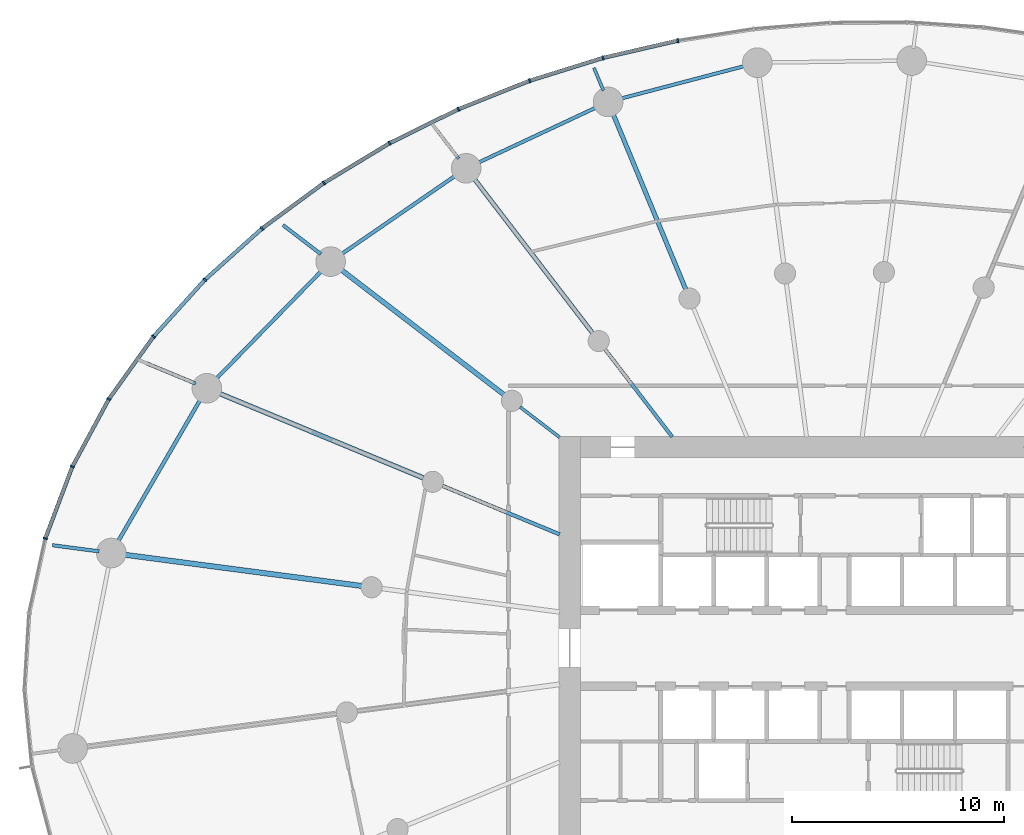
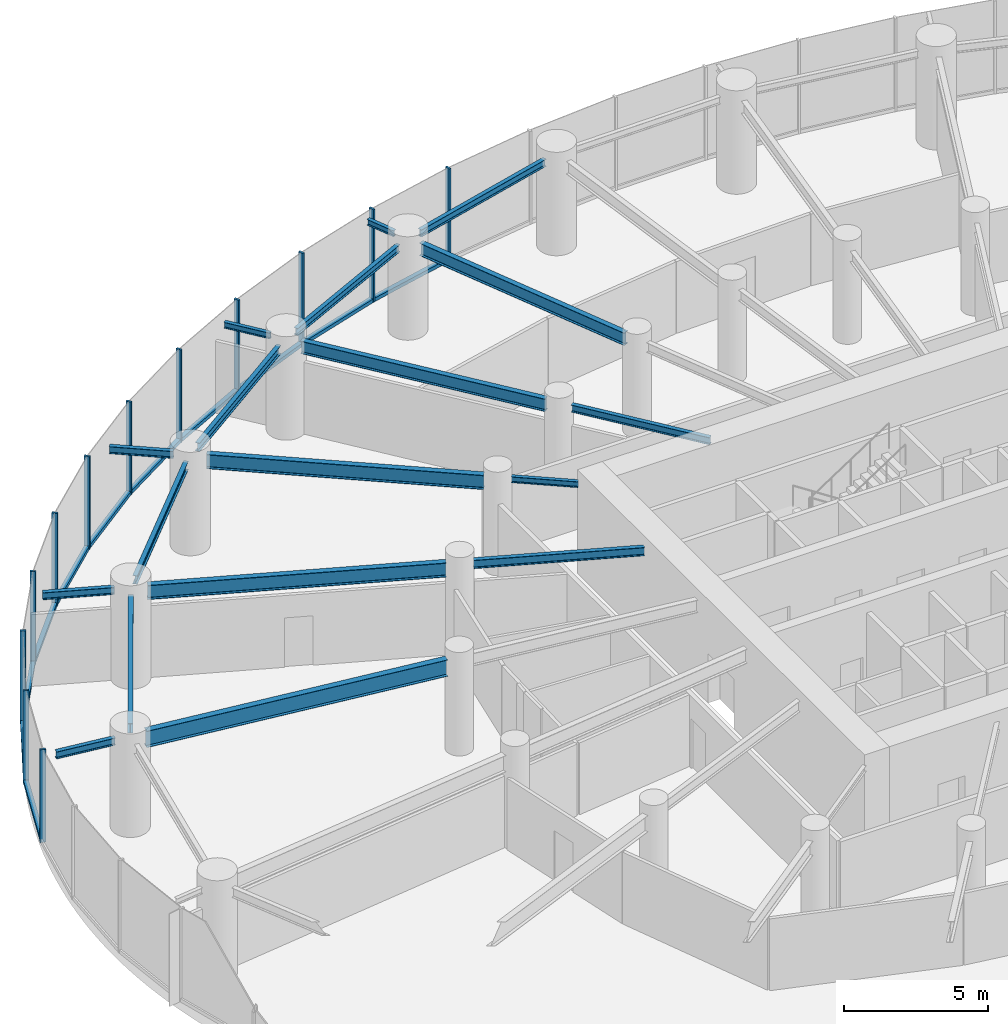
# One storey, part 6 of 17: 23 members, 18 beams, 3 elements without a shape of their own.
"""IFC4 building model written with IfcOpenShell, lengths in metres."""

from ifc_helpers import new_model, si_unit, direction, frame, origin, origin_2d, place, context, subcontext, project, spatial, rectangle, i_section, extrude, source, transform, mapped, material, layer, layer_set, material_profile, profile_set, type_object, element, aggregate, save


model = new_model("IFC4")

# Units and contexts
model_context = context("Model", 3, precision=1e-05, world=origin(), true_north=direction((0.0, 1.0)))
body_context = subcontext(model_context, "Body", "Model", "MODEL_VIEW")
ifc_project = project(units=[si_unit("LENGTHUNIT", "METRE"), si_unit("AREAUNIT", "SQUARE_METRE"), si_unit("VOLUMEUNIT", "CUBIC_METRE"), si_unit("PLANEANGLEUNIT", "RADIAN"), si_unit("MASSUNIT", "GRAM", prefix="KILO")], contexts=[model_context])

# Site, building, storey
site_placement = place(None, origin())
site = spatial("IfcSite", under=ifc_project, at=site_placement, CompositionType="ELEMENT")
building_placement = place(site_placement, origin())
building = spatial("IfcBuilding", under=site, at=building_placement, Name="Spindrift Exchange Tower", CompositionType="ELEMENT")
storey_placement = place(building_placement, frame((0.0, 0.0, 35.800048828125)))
storey = spatial("IfcBuildingStorey", under=building, at=storey_placement, Name="L08", CompositionType="ELEMENT", Elevation=35.800048828125)

# Beams
ifc_material_1 = material(Name="Steel Grade 300", Category="steel")
ifc_material_profile_1 = material_profile(ifc_material_1, i_section(OverallWidth=0.208984375, OverallDepth=0.532958984375, WebThickness=0.01025390625, FlangeThickness=0.015625, FilletRadius=0.013916015625, at=origin_2d()), Name="530UB92.4")
ifc_profile_set_1 = profile_set([ifc_material_profile_1], Name="Steel Grade 300")
beam_type_1 = type_object("IfcBeamType", Name="Floor Beam 530UB92.4 Steel Grade 300", PredefinedType="BEAM", material=ifc_profile_set_1)
shared_shape_1 = source(origin(), body_context, "Body", "SweptSolid", [
    extrude(i_section(OverallWidth=0.208984375, OverallDepth=0.532958984375, WebThickness=0.01025390625, FlangeThickness=0.015625, FilletRadius=0.013916015625, at=origin_2d()), origin(), (0.0, 0.0, 1.0), 8.99658203125),
])
beam_1_placement = place(storey_placement, frame((44.974609375, 64.9609375, 3.683349609375), z_axis=(-0.382685731718, 0.923878580085, 0.0), x_axis=(-0.923878580085, -0.382685731718, 0.0)))
element("IfcBeam", 1, at=beam_1_placement, inside=storey, type_object=beam_type_1, Name="L08 radial beam R08B", PredefinedType="BEAM", context=body_context, shape_type="MappedRepresentation", body=[
    mapped(shared_shape_1, transform((0.0, 0.0, 0.0), scale=1.0)),
])
ifc_material_profile_2 = material_profile(ifc_material_1, i_section(OverallWidth=0.1650390625, OverallDepth=0.303955078125, WebThickness=0.006103515625, FlangeThickness=0.01025390625, FilletRadius=0.011474609375, at=origin_2d()), Name="310UB40.4")
ifc_profile_set_2 = profile_set([ifc_material_profile_2], Name="Steel Grade 300")
beam_type_2 = type_object("IfcBeamType", Name="Floor Beam 310UB40.4 Steel Grade 300", PredefinedType="BEAM", material=ifc_profile_set_2)
shared_shape_2 = source(origin(), body_context, "Body", "SweptSolid", [
    extrude(i_section(OverallWidth=0.1650390625, OverallDepth=0.303955078125, WebThickness=0.006103515625, FlangeThickness=0.01025390625, FilletRadius=0.011474609375, at=origin_2d()), origin(), (0.0, 0.0, 1.0), 5.224609375),
])
beam_2_placement = place(storey_placement, frame((44.3388671875, 57.984130859375, 3.7978515625), z_axis=(-0.608741499316, 0.793368632485, 0.0), x_axis=(-0.793368632485, -0.608741499316, 0.0)))
element("IfcBeam", 2, at=beam_2_placement, inside=storey, type_object=beam_type_2, Name="L08 radial beam R09A", PredefinedType="BEAM", context=body_context, shape_type="MappedRepresentation", body=[
    mapped(shared_shape_2, transform((0.0, 0.0, 0.0), scale=1.0)),
])
shared_shape_3 = source(origin(), body_context, "Body", "SweptSolid", [
    extrude(i_section(OverallWidth=0.208984375, OverallDepth=0.532958984375, WebThickness=0.01025390625, FlangeThickness=0.015625, FilletRadius=0.013916015625, at=origin_2d()), origin(), (0.0, 0.0, 1.0), 9.227783203125),
])
beam_3_placement = place(storey_placement, frame((40.573974609375, 62.890625, 3.683349609375), z_axis=(-0.608747534474, 0.79336400175, 0.0), x_axis=(-0.79336400175, -0.608747534474, 0.0)))
element("IfcBeam", 3, at=beam_3_placement, inside=storey, type_object=beam_type_1, Name="L08 radial beam R09B", PredefinedType="BEAM", context=body_context, shape_type="MappedRepresentation", body=[
    mapped(shared_shape_3, transform((0.0, 0.0, 0.0), scale=1.0)),
])
ifc_material_profile_3 = material_profile(ifc_material_1, i_section(OverallWidth=0.14599609375, OverallDepth=0.251953125, WebThickness=0.006103515625, FlangeThickness=0.008544921875, FilletRadius=0.011962890625, at=origin_2d()), Name="250UB31.4")
ifc_profile_set_3 = profile_set([ifc_material_profile_3], Name="Steel Grade 300")
beam_type_3 = type_object("IfcBeamType", Name="Floor Beam 250UB31.4 Steel Grade 300", PredefinedType="BEAM", material=ifc_profile_set_3)
shared_shape_4 = source(origin(), body_context, "Body", "SweptSolid", [
    extrude(i_section(OverallWidth=0.14599609375, OverallDepth=0.251953125, WebThickness=0.006103515625, FlangeThickness=0.008544921875, FilletRadius=0.011962890625, at=origin_2d()), origin(), (0.0, 0.0, 1.0), 2.353759765625),
])
beam_4_placement = place(storey_placement, frame((39.015869140625, 57.963134765625, 3.823974609375), z_axis=(-0.793367573265, 0.608742879787, 0.0), x_axis=(-0.608742879787, -0.793367573265, 0.0)))
element("IfcBeam", 4, at=beam_4_placement, inside=storey, type_object=beam_type_3, Name="L08 radial beam R10A", PredefinedType="BEAM", context=body_context, shape_type="MappedRepresentation", body=[
    mapped(shared_shape_4, transform((0.0, 0.0, 0.0), scale=1.0)),
])
ifc_material_profile_4 = material_profile(ifc_material_1, i_section(OverallWidth=0.22802734375, OverallDepth=0.60693359375, WebThickness=0.01123046875, FlangeThickness=0.017333984375, FilletRadius=0.013916015625, at=origin_2d()), Name="610UB113")
ifc_profile_set_4 = profile_set([ifc_material_profile_4], Name="Steel Grade 300")
beam_type_4 = type_object("IfcBeamType", Name="Floor Beam 610UB113 Steel Grade 300", PredefinedType="BEAM", material=ifc_profile_set_4)
shared_shape_5 = source(origin(), body_context, "Body", "SweptSolid", [
    extrude(i_section(OverallWidth=0.22802734375, OverallDepth=0.60693359375, WebThickness=0.01123046875, FlangeThickness=0.017333984375, FilletRadius=0.013916015625, at=origin_2d()), origin(), (0.0, 0.0, 1.0), 9.73974609375),
])
beam_5_placement = place(storey_placement, frame((36.38671875, 59.98046875, 3.646484375), z_axis=(-0.793352119621, 0.608763019814, 0.0), x_axis=(-0.608763019814, -0.793352119621, 0.0)))
element("IfcBeam", 5, at=beam_5_placement, inside=storey, type_object=beam_type_4, Name="L08 radial beam R10B", PredefinedType="BEAM", context=body_context, shape_type="MappedRepresentation", body=[
    mapped(shared_shape_5, transform((0.0, 0.0, 0.0), scale=1.0)),
])
ifc_material_profile_5 = material_profile(ifc_material_1, i_section(OverallWidth=0.172119140625, OverallDepth=0.35888671875, WebThickness=0.008056640625, FlangeThickness=0.012939453125, FilletRadius=0.013916015625, at=origin_2d()), Name="360UB56.7")
ifc_profile_set_5 = profile_set([ifc_material_profile_5], Name="Steel Grade 300")
beam_type_5 = type_object("IfcBeamType", Name="Floor Beam 360UB56.7 Steel Grade 300", PredefinedType="BEAM", material=ifc_profile_set_5)
shared_shape_6 = source(origin(), body_context, "Body", "SweptSolid", [
    extrude(i_section(OverallWidth=0.172119140625, OverallDepth=0.35888671875, WebThickness=0.008056640625, FlangeThickness=0.012939453125, FilletRadius=0.013916015625, at=origin_2d()), origin(), (0.0, 0.0, 1.0), 6.004638671875),
])
beam_6_placement = place(storey_placement, frame((39.0185546875, 53.377197265625, 3.7705078125), z_axis=(-0.923882044911, 0.38267736684, 0.0), x_axis=(-0.38267736684, -0.923882044911, 0.0)))
element("IfcBeam", 6, at=beam_6_placement, inside=storey, type_object=beam_type_5, Name="L08 radial beam R11A", PredefinedType="BEAM", context=body_context, shape_type="MappedRepresentation", body=[
    mapped(shared_shape_6, transform((0.0, 0.0, 0.0), scale=1.0)),
])
shared_shape_7 = source(origin(), body_context, "Body", "SweptSolid", [
    extrude(i_section(OverallWidth=0.22802734375, OverallDepth=0.60693359375, WebThickness=0.01123046875, FlangeThickness=0.017333984375, FilletRadius=0.013916015625, at=origin_2d()), origin(), (0.0, 0.0, 1.0), 10.4912109375),
])
beam_7_placement = place(storey_placement, frame((32.583984375, 56.04248046875, 3.646484375), z_axis=(-0.923885231151, 0.382669674342, 0.0), x_axis=(-0.382669674342, -0.923885231151, 0.0)))
element("IfcBeam", 7, at=beam_7_placement, inside=storey, type_object=beam_type_4, Name="L08 radial beam R11B", PredefinedType="BEAM", context=body_context, shape_type="MappedRepresentation", body=[
    mapped(shared_shape_7, transform((0.0, 0.0, 0.0), scale=1.0)),
])
ifc_material_profile_6 = material_profile(ifc_material_1, i_section(OverallWidth=0.25, OverallDepth=0.699951171875, WebThickness=0.008056640625, FlangeThickness=0.011962890625, at=origin_2d()), Name="700WB115")
ifc_profile_set_6 = profile_set([ifc_material_profile_6], Name="Steel Grade 300")
beam_type_6 = type_object("IfcBeamType", Name="Floor Beam 700WB115 Steel Grade 300", PredefinedType="BEAM", material=ifc_profile_set_6)
shared_shape_8 = source(origin(), body_context, "Body", "SweptSolid", [
    extrude(i_section(OverallWidth=0.25, OverallDepth=0.699951171875, WebThickness=0.008056640625, FlangeThickness=0.011962890625, at=origin_2d()), origin(), (0.0, 0.0, 1.0), 11.34423828125),
])
beam_8_placement = place(storey_placement, frame((29.660888671875, 50.94091796875, 3.599853515625), z_axis=(-0.991444770187, 0.130526884848, 0.0), x_axis=(-0.130526884848, -0.991444770187, 0.0)))
element("IfcBeam", 8, at=beam_8_placement, inside=storey, type_object=beam_type_6, Name="L08 radial beam R12B", PredefinedType="BEAM", context=body_context, shape_type="MappedRepresentation", body=[
    mapped(shared_shape_8, transform((0.0, 0.0, 0.0), scale=1.0)),
])
ifc_material_profile_7 = material_profile(ifc_material_1, i_section(OverallWidth=0.1650390625, OverallDepth=0.303955078125, WebThickness=0.006103515625, FlangeThickness=0.01025390625, FilletRadius=0.011474609375, at=origin_2d()), Name="310UB40.4")
ifc_profile_set_7 = profile_set([ifc_material_profile_7], Name="Steel Grade 300")
beam_type_7 = type_object("IfcBeamType", Name="Edge Beam 310UB40.4 Steel Grade 300", PredefinedType="SPANDREL", material=ifc_profile_set_7)
shared_shape_9 = source(origin(), body_context, "Body", "SweptSolid", [
    extrude(i_section(OverallWidth=0.1650390625, OverallDepth=0.303955078125, WebThickness=0.006103515625, FlangeThickness=0.01025390625, FilletRadius=0.011474609375, at=origin_2d()), origin(), (0.0, 0.0, 1.0), 6.128173828125),
])
beam_9_placement = place(storey_placement, frame((47.79736328125, 75.513916015625, 3.7978515625), z_axis=(-0.967147261855, -0.254216785216, 0.0), x_axis=(0.254216785216, -0.967147261855, 0.0)))
element("IfcBeam", 9, at=beam_9_placement, inside=storey, type_object=beam_type_7, Name="L08 edge beam E07", PredefinedType="SPANDREL", context=body_context, shape_type="MappedRepresentation", body=[
    mapped(shared_shape_9, transform((0.0, 0.0, 0.0), scale=1.0)),
])
shared_shape_10 = source(origin(), body_context, "Body", "SweptSolid", [
    extrude(i_section(OverallWidth=0.1650390625, OverallDepth=0.303955078125, WebThickness=0.006103515625, FlangeThickness=0.01025390625, FilletRadius=0.011474609375, at=origin_2d()), origin(), (0.0, 0.0, 1.0), 6.243408203125),
])
beam_10_placement = place(storey_placement, frame((40.7841796875, 73.56298828125, 3.7978515625), z_axis=(-0.905791146607, -0.423724437257, 0.0), x_axis=(0.423724437257, -0.905791146607, 0.0)))
element("IfcBeam", 10, at=beam_10_placement, inside=storey, type_object=beam_type_7, Name="L08 edge beam E08", PredefinedType="SPANDREL", context=body_context, shape_type="MappedRepresentation", body=[
    mapped(shared_shape_10, transform((0.0, 0.0, 0.0), scale=1.0)),
])
ifc_material_profile_8 = material_profile(ifc_material_1, i_section(OverallWidth=0.172119140625, OverallDepth=0.35888671875, WebThickness=0.008056640625, FlangeThickness=0.012939453125, FilletRadius=0.013916015625, at=origin_2d()), Name="360UB56.7")
ifc_profile_set_8 = profile_set([ifc_material_profile_8], Name="Steel Grade 300")
beam_type_8 = type_object("IfcBeamType", Name="Edge Beam 360UB56.7 Steel Grade 300", PredefinedType="SPANDREL", material=ifc_profile_set_8)
shared_shape_11 = source(origin(), body_context, "Body", "SweptSolid", [
    extrude(i_section(OverallWidth=0.172119140625, OverallDepth=0.35888671875, WebThickness=0.008056640625, FlangeThickness=0.012939453125, FilletRadius=0.013916015625, at=origin_2d()), origin(), (0.0, 0.0, 1.0), 6.614990234375),
])
beam_11_placement = place(storey_placement, frame((34.125732421875, 70.3427734375, 3.7705078125), z_axis=(-0.823690708835, -0.567039342708, 0.0), x_axis=(0.567039342708, -0.823690708835, 0.0)))
element("IfcBeam", 11, at=beam_11_placement, inside=storey, type_object=beam_type_8, Name="L08 edge beam E09", PredefinedType="SPANDREL", context=body_context, shape_type="MappedRepresentation", body=[
    mapped(shared_shape_11, transform((0.0, 0.0, 0.0), scale=1.0)),
])
shared_shape_12 = source(origin(), body_context, "Body", "SweptSolid", [
    extrude(i_section(OverallWidth=0.172119140625, OverallDepth=0.35888671875, WebThickness=0.008056640625, FlangeThickness=0.012939453125, FilletRadius=0.013916015625, at=origin_2d()), origin(), (0.0, 0.0, 1.0), 7.2041015625),
])
beam_12_placement = place(storey_placement, frame((27.794189453125, 65.847900390625, 3.7705078125), z_axis=(-0.698703626006, -0.715411240481, 0.0), x_axis=(0.715411240481, -0.698703626006, 0.0)))
element("IfcBeam", 12, at=beam_12_placement, inside=storey, type_object=beam_type_8, Name="L08 edge beam E10", PredefinedType="SPANDREL", context=body_context, shape_type="MappedRepresentation", body=[
    mapped(shared_shape_12, transform((0.0, 0.0, 0.0), scale=1.0)),
])
ifc_material_profile_9 = material_profile(ifc_material_1, i_section(OverallWidth=0.177978515625, OverallDepth=0.406005859375, WebThickness=0.0078125, FlangeThickness=0.0126953125, FilletRadius=0.013916015625, at=origin_2d()), Name="410UB59.7")
ifc_profile_set_9 = profile_set([ifc_material_profile_9], Name="Steel Grade 300")
beam_type_9 = type_object("IfcBeamType", Name="Edge Beam 410UB59.7 Steel Grade 300", PredefinedType="SPANDREL", material=ifc_profile_set_9)
shared_shape_13 = source(origin(), body_context, "Body", "SweptSolid", [
    extrude(i_section(OverallWidth=0.177978515625, OverallDepth=0.406005859375, WebThickness=0.0078125, FlangeThickness=0.0126953125, FilletRadius=0.013916015625, at=origin_2d()), origin(), (0.0, 0.0, 1.0), 7.837646484375),
])
beam_13_placement = place(storey_placement, frame((22.064208984375, 59.777587890625, 3.7470703125), z_axis=(-0.50198145655, -0.864878382942, 0.0), x_axis=(0.864878382942, -0.50198145655, 0.0)))
element("IfcBeam", 13, at=beam_13_placement, inside=storey, type_object=beam_type_9, Name="L08 edge beam E11", PredefinedType="SPANDREL", context=body_context, shape_type="MappedRepresentation", body=[
    mapped(shared_shape_13, transform((0.0, 0.0, 0.0), scale=1.0)),
])
ifc_material_profile_10 = material_profile(ifc_material_1, i_section(OverallWidth=0.14599609375, OverallDepth=0.251953125, WebThickness=0.006103515625, FlangeThickness=0.008544921875, FilletRadius=0.011962890625, at=origin_2d()), Name="250UB31.4")
ifc_profile_set_10 = profile_set([ifc_material_profile_10], Name="Steel Grade 300")
beam_type_10 = type_object("IfcBeamType", Name="Cantilever Beam 250UB31.4 Steel Grade 300", PredefinedType="BEAM", material=ifc_profile_set_10)
shared_shape_14 = source(origin(), body_context, "Body", "SweptSolid", [
    extrude(i_section(OverallWidth=0.14599609375, OverallDepth=0.251953125, WebThickness=0.006103515625, FlangeThickness=0.008544921875, FilletRadius=0.011962890625, at=origin_2d()), origin(), (0.0, 0.0, 1.0), 1.165283203125),
])
beam_14_placement = place(storey_placement, frame((41.087890625, 74.344482421875, 3.823974609375), z_axis=(-0.38274032778, 0.923855963606, 0.0), x_axis=(-0.923855963606, -0.38274032778, 0.0)))
element("IfcBeam", 14, at=beam_14_placement, inside=storey, type_object=beam_type_10, Name="L08 cantilever beam R08T", PredefinedType="BEAM", context=body_context, shape_type="MappedRepresentation", body=[
    mapped(shared_shape_14, transform((0.0, 0.0, 0.0), scale=1.0)),
])
shared_shape_15 = source(origin(), body_context, "Body", "SweptSolid", [
    extrude(i_section(OverallWidth=0.14599609375, OverallDepth=0.251953125, WebThickness=0.006103515625, FlangeThickness=0.008544921875, FilletRadius=0.011962890625, at=origin_2d()), origin(), (0.0, 0.0, 1.0), 1.741455078125),
])
beam_15_placement = place(storey_placement, frame((34.250244140625, 71.1318359375, 3.823974609375), z_axis=(-0.608734654071, 0.793373884705, 0.0), x_axis=(-0.793373884705, -0.608734654071, 0.0)))
element("IfcBeam", 15, at=beam_15_placement, inside=storey, type_object=beam_type_10, Name="L08 cantilever beam R09T", PredefinedType="BEAM", context=body_context, shape_type="MappedRepresentation", body=[
    mapped(shared_shape_15, transform((0.0, 0.0, 0.0), scale=1.0)),
])
ifc_material_profile_11 = material_profile(ifc_material_1, i_section(OverallWidth=0.1650390625, OverallDepth=0.303955078125, WebThickness=0.006103515625, FlangeThickness=0.01025390625, FilletRadius=0.011474609375, at=origin_2d()), Name="310UB40.4")
ifc_profile_set_11 = profile_set([ifc_material_profile_11], Name="Steel Grade 300")
beam_type_11 = type_object("IfcBeamType", Name="Cantilever Beam 310UB40.4 Steel Grade 300", PredefinedType="BEAM", material=ifc_profile_set_11)
shared_shape_16 = source(origin(), body_context, "Body", "SweptSolid", [
    extrude(i_section(OverallWidth=0.1650390625, OverallDepth=0.303955078125, WebThickness=0.006103515625, FlangeThickness=0.01025390625, FilletRadius=0.011474609375, at=origin_2d()), origin(), (0.0, 0.0, 1.0), 2.25439453125),
])
beam_16_placement = place(storey_placement, frame((27.7392578125, 66.615966796875, 3.7978515625), z_axis=(-0.793376222993, 0.608731606531, 0.0), x_axis=(-0.608731606531, -0.793376222993, 0.0)))
element("IfcBeam", 16, at=beam_16_placement, inside=storey, type_object=beam_type_11, Name="L08 cantilever beam R10T", PredefinedType="BEAM", context=body_context, shape_type="MappedRepresentation", body=[
    mapped(shared_shape_16, transform((0.0, 0.0, 0.0), scale=1.0)),
])
shared_shape_17 = source(origin(), body_context, "Body", "SweptSolid", [
    extrude(i_section(OverallWidth=0.1650390625, OverallDepth=0.303955078125, WebThickness=0.006103515625, FlangeThickness=0.01025390625, FilletRadius=0.011474609375, at=origin_2d()), origin(), (0.0, 0.0, 1.0), 2.515380859375),
])
beam_17_placement = place(storey_placement, frame((21.819580078125, 60.501220703125, 3.7978515625), z_axis=(-0.923910375948, 0.382608961234, 0.0), x_axis=(-0.382608961234, -0.923910375948, 0.0)))
element("IfcBeam", 17, at=beam_17_placement, inside=storey, type_object=beam_type_11, Name="L08 cantilever beam R11T", PredefinedType="BEAM", context=body_context, shape_type="MappedRepresentation", body=[
    mapped(shared_shape_17, transform((0.0, 0.0, 0.0), scale=1.0)),
])
shared_shape_18 = source(origin(), body_context, "Body", "SweptSolid", [
    extrude(i_section(OverallWidth=0.1650390625, OverallDepth=0.303955078125, WebThickness=0.006103515625, FlangeThickness=0.01025390625, FilletRadius=0.011474609375, at=origin_2d()), origin(), (0.0, 0.0, 1.0), 2.224365234375),
])
beam_18_placement = place(storey_placement, frame((17.263916015625, 52.572998046875, 3.7978515625), z_axis=(-0.991447943471, 0.13050277923, 0.0), x_axis=(-0.13050277923, -0.991447943471, 0.0)))
element("IfcBeam", 18, at=beam_18_placement, inside=storey, type_object=beam_type_11, Name="L08 cantilever beam R12T", PredefinedType="BEAM", context=body_context, shape_type="MappedRepresentation", body=[
    mapped(shared_shape_18, transform((0.0, 0.0, 0.0), scale=1.0)),
])

# Curtain wall, members
ifc_material_2 = material(Name="Fritted laminated glass with bronze frame", Category="glass")
ifc_layer = layer(ifc_material_2, 0.199951171875)
ifc_layer_set = layer_set([ifc_layer], Name="ZONE 1 BRONZE FRITTED WALL")
curtain_wall_type = type_object("IfcCurtainWallType", Name="ZONE 1 BRONZE FRITTED WALL", PredefinedType="NOTDEFINED", material=ifc_layer_set)
curtain_wall_1_placement = place(storey_placement, origin())
curtain_wall_1 = element("IfcCurtainWall", 19, at=curtain_wall_1_placement, inside=storey, type_object=curtain_wall_type, Name="L08 Zone 1 Bronze Fritted Wall run 3", PredefinedType="NOTDEFINED")
ifc_material_3 = material(Name="Bronze anodised aluminium", Category="aluminium")
ifc_material_profile_12 = material_profile(ifc_material_3, rectangle(XDim=0.080078125, YDim=0.199951171875, at=origin_2d()), Name="ZONE 1 BRONZE FRITTED WALL MULLION 80X200")
ifc_profile_set_12 = profile_set([ifc_material_profile_12], Name="Bronze anodised aluminium")
member_type_1 = type_object("IfcMemberType", Name="ZONE 1 BRONZE FRITTED WALL MULLION 80X200", PredefinedType="MULLION", material=ifc_profile_set_12)
shared_shape_19 = source(origin(), body_context, "Body", "SweptSolid", [
    extrude(rectangle(XDim=0.080078125, YDim=0.199951171875, at=origin_2d()), origin(), (0.0, 0.0, 1.0), 3.949951171875),
])
member_1_placement = place(storey_placement, frame((44.602783203125, 76.703857421875, 0.0), z_axis=(0.0, 0.0, 1.0), x_axis=(-0.9819597784, -0.189089908788, 0.0)))
member_1 = element("IfcMember", 20, at=member_1_placement, type_object=member_type_1, Name="L08 mullion CW-1.17", PredefinedType="MULLION", context=body_context, shape_type="MappedRepresentation", body=[
    mapped(shared_shape_19, transform((0.0, 0.0, 0.0), scale=1.0)),
])
member_2_placement = place(storey_placement, frame((41.068359375, 75.887451171875, 0.0), z_axis=(0.0, 0.0, 1.0), x_axis=(-0.965247400328, -0.261337819997, 0.0)))
member_2 = element("IfcMember", 21, at=member_2_placement, type_object=member_type_1, Name="L08 mullion CW-1.18", PredefinedType="MULLION", context=body_context, shape_type="MappedRepresentation", body=[
    mapped(shared_shape_19, transform((0.0, 0.0, 0.0), scale=1.0)),
])

curtain_wall_2_placement = place(storey_placement, origin())
curtain_wall_2 = element("IfcCurtainWall", 22, at=curtain_wall_2_placement, inside=storey, type_object=curtain_wall_type, Name="L08 Zone 1 Bronze Fritted Wall run 4", PredefinedType="NOTDEFINED")
member_3_placement = place(storey_placement, frame((37.60498046875, 74.80908203125, 0.0), z_axis=(0.0, 0.0, 1.0), x_axis=(-0.942603653307, -0.333913690604, 0.0)))
member_3 = element("IfcMember", 23, at=member_3_placement, type_object=member_type_1, Name="L08 mullion CW-1.19", PredefinedType="MULLION", context=body_context, shape_type="MappedRepresentation", body=[
    mapped(shared_shape_19, transform((0.0, 0.0, 0.0), scale=1.0)),
])
member_4_placement = place(storey_placement, frame((34.2353515625, 73.466796875, 0.0), z_axis=(0.0, 0.0, 1.0), x_axis=(-0.91338471778, -0.407097478898, 0.0)))
member_4 = element("IfcMember", 24, at=member_4_placement, type_object=member_type_1, Name="L08 mullion CW-1.20", PredefinedType="MULLION", context=body_context, shape_type="MappedRepresentation", body=[
    mapped(shared_shape_19, transform((0.0, 0.0, 0.0), scale=1.0)),
])
member_5_placement = place(storey_placement, frame((30.984375, 71.8583984375, 0.0), z_axis=(0.0, 0.0, 1.0), x_axis=(-0.876701760599, -0.48103432618, 0.0)))
member_5 = element("IfcMember", 25, at=member_5_placement, type_object=member_type_1, Name="L08 mullion CW-1.21", PredefinedType="MULLION", context=body_context, shape_type="MappedRepresentation", body=[
    mapped(shared_shape_19, transform((0.0, 0.0, 0.0), scale=1.0)),
])
member_6_placement = place(storey_placement, frame((27.881103515625, 69.98046875, 0.0), z_axis=(0.0, 0.0, 1.0), x_axis=(-0.831346420061, -0.555754559003, 0.0)))
member_6 = element("IfcMember", 26, at=member_6_placement, type_object=member_type_1, Name="L08 mullion CW-1.22", PredefinedType="MULLION", context=body_context, shape_type="MappedRepresentation", body=[
    mapped(shared_shape_19, transform((0.0, 0.0, 0.0), scale=1.0)),
])
member_7_placement = place(storey_placement, frame((24.9599609375, 67.8310546875, 0.0), z_axis=(0.0, 0.0, 1.0), x_axis=(-0.775833658466, -0.630937504347, 0.0)))
member_7 = element("IfcMember", 27, at=member_7_placement, type_object=member_type_1, Name="L08 mullion CW-1.23", PredefinedType="MULLION", context=body_context, shape_type="MappedRepresentation", body=[
    mapped(shared_shape_19, transform((0.0, 0.0, 0.0), scale=1.0)),
])
member_8_placement = place(storey_placement, frame((22.26025390625, 65.4091796875, 0.0), z_axis=(0.0, 0.0, 1.0), x_axis=(-0.708353513561, -0.705857846755, 0.0)))
member_8 = element("IfcMember", 28, at=member_8_placement, type_object=member_type_1, Name="L08 mullion CW-1.24", PredefinedType="MULLION", context=body_context, shape_type="MappedRepresentation", body=[
    mapped(shared_shape_19, transform((0.0, 0.0, 0.0), scale=1.0)),
])

curtain_wall_3_placement = place(storey_placement, origin())
curtain_wall_3 = element("IfcCurtainWall", 29, at=curtain_wall_3_placement, inside=storey, type_object=curtain_wall_type, Name="L08 Zone 1 Bronze Fritted Wall run 5", PredefinedType="NOTDEFINED")
member_9_placement = place(storey_placement, frame((19.8291015625, 62.718505859375, 0.0), z_axis=(0.0, 0.0, 1.0), x_axis=(-0.626906896851, -0.779094180879, 0.0)))
member_9 = element("IfcMember", 30, at=member_9_placement, type_object=member_type_1, Name="L08 mullion CW-1.25", PredefinedType="MULLION", context=body_context, shape_type="MappedRepresentation", body=[
    mapped(shared_shape_19, transform((0.0, 0.0, 0.0), scale=1.0)),
])
member_10_placement = place(storey_placement, frame((17.720947265625, 59.768310546875, 0.0), z_axis=(0.0, 0.0, 1.0), x_axis=(-0.529592332082, -0.848252298435, 0.0)))
member_10 = element("IfcMember", 31, at=member_10_placement, type_object=member_type_1, Name="L08 mullion CW-1.26", PredefinedType="MULLION", context=body_context, shape_type="MappedRepresentation", body=[
    mapped(shared_shape_19, transform((0.0, 0.0, 0.0), scale=1.0)),
])
member_11_placement = place(storey_placement, frame((15.99609375, 56.5791015625, 0.0), z_axis=(0.0, 0.0, 1.0), x_axis=(-0.41503834153, -0.909803921216, 0.0)))
member_11 = element("IfcMember", 32, at=member_11_placement, type_object=member_type_1, Name="L08 mullion CW-1.27", PredefinedType="MULLION", context=body_context, shape_type="MappedRepresentation", body=[
    mapped(shared_shape_19, transform((0.0, 0.0, 0.0), scale=1.0)),
])
member_12_placement = place(storey_placement, frame((14.718505859375, 53.1865234375, 0.0), z_axis=(0.0, 0.0, 1.0), x_axis=(-0.283274286159, -0.959038934977, 0.0)))
member_12 = element("IfcMember", 33, at=member_12_placement, type_object=member_type_1, Name="L08 mullion CW-1.28", PredefinedType="MULLION", context=body_context, shape_type="MappedRepresentation", body=[
    mapped(shared_shape_19, transform((0.0, 0.0, 0.0), scale=1.0)),
])
ifc_material_profile_13 = material_profile(ifc_material_3, rectangle(XDim=0.179931640625, YDim=0.14990234375, at=origin_2d()), Name="ZONE 1 BRONZE FRITTED WALL TRANSOM 180X150")
ifc_profile_set_13 = profile_set([ifc_material_profile_13], Name="Bronze anodised aluminium")
member_type_2 = type_object("IfcMemberType", Name="ZONE 1 BRONZE FRITTED WALL TRANSOM 180X150", PredefinedType="USERDEFINED", material=ifc_profile_set_13)
shared_shape_20 = source(origin(), body_context, "Body", "SweptSolid", [
    extrude(rectangle(XDim=0.179931640625, YDim=0.14990234375, at=origin_2d()), origin(), (0.0, 0.0, 1.0), 3.545654296875),
])
member_13_placement = place(storey_placement, frame((17.701904296875, 59.73291015625, 0.074951171875), z_axis=(-0.475737371652, -0.87958737668, 0.0), x_axis=(0.87958737668, -0.475737371652, 0.0)))
member_13 = element("IfcMember", 34, at=member_13_placement, type_object=member_type_2, Name="L08 transom CW-1.26", ObjectType="TRANSOM", PredefinedType="USERDEFINED", context=body_context, shape_type="MappedRepresentation", body=[
    mapped(shared_shape_20, transform((0.0, 0.0, 0.0), scale=1.0)),
])

# Member
shared_shape_21 = source(origin(), body_context, "Body", "SweptSolid", [
    extrude(rectangle(XDim=0.179931640625, YDim=0.14990234375, at=origin_2d()), origin(), (0.0, 0.0, 1.0), 3.54736328125),
])
member_14_placement = place(storey_placement, frame((44.563720703125, 76.69482421875, 0.074951171875), z_axis=(-0.974345937516, -0.225055535472, 0.0), x_axis=(0.225055535472, -0.974345937516, 0.0)))
member_14 = element("IfcMember", 35, at=member_14_placement, type_object=member_type_2, Name="L08 transom CW-1.17", ObjectType="TRANSOM", PredefinedType="USERDEFINED", context=body_context, shape_type="MappedRepresentation", body=[
    mapped(shared_shape_21, transform((0.0, 0.0, 0.0), scale=1.0)),
])

member_15_placement = place(storey_placement, frame((41.0302734375, 75.87548828125, 0.074951171875), z_axis=(-0.954799058731, -0.297252009995, 0.0), x_axis=(0.297252009995, -0.954799058731, 0.0)))
member_15 = element("IfcMember", 36, at=member_15_placement, type_object=member_type_2, Name="L08 transom CW-1.18", ObjectType="TRANSOM", PredefinedType="USERDEFINED", context=body_context, shape_type="MappedRepresentation", body=[
    mapped(shared_shape_21, transform((0.0, 0.0, 0.0), scale=1.0)),
])

aggregate(curtain_wall_1, [member_1, member_14, member_2, member_15])

member_16_placement = place(storey_placement, frame((37.56787109375, 74.79443359375, 0.074951171875), z_axis=(-0.929002625405, -0.370073130597, 0.0), x_axis=(0.370073130597, -0.929002625405, 0.0)))
member_16 = element("IfcMember", 37, at=member_16_placement, type_object=member_type_2, Name="L08 transom CW-1.19", ObjectType="TRANSOM", PredefinedType="USERDEFINED", context=body_context, shape_type="MappedRepresentation", body=[
    mapped(shared_shape_21, transform((0.0, 0.0, 0.0), scale=1.0)),
])

shared_shape_22 = source(origin(), body_context, "Body", "SweptSolid", [
    extrude(rectangle(XDim=0.179931640625, YDim=0.14990234375, at=origin_2d()), origin(), (0.0, 0.0, 1.0), 3.547119140625),
])
member_17_placement = place(storey_placement, frame((34.199462890625, 73.44921875, 0.074951171875), z_axis=(-0.896264144394, -0.443520668598, 0.0), x_axis=(0.443520668598, -0.896264144394, 0.0)))
member_17 = element("IfcMember", 38, at=member_17_placement, type_object=member_type_2, Name="L08 transom CW-1.20", ObjectType="TRANSOM", PredefinedType="USERDEFINED", context=body_context, shape_type="MappedRepresentation", body=[
    mapped(shared_shape_22, transform((0.0, 0.0, 0.0), scale=1.0)),
])

member_18_placement = place(storey_placement, frame((30.9501953125, 71.837646484375, 0.074951171875), z_axis=(-0.855543403703, -0.517731092731, 0.0), x_axis=(0.517731092731, -0.855543403703, 0.0)))
member_18 = element("IfcMember", 39, at=member_18_placement, type_object=member_type_2, Name="L08 transom CW-1.21", ObjectType="TRANSOM", PredefinedType="USERDEFINED", context=body_context, shape_type="MappedRepresentation", body=[
    mapped(shared_shape_22, transform((0.0, 0.0, 0.0), scale=1.0)),
])

shared_shape_23 = source(origin(), body_context, "Body", "SweptSolid", [
    extrude(rectangle(XDim=0.179931640625, YDim=0.14990234375, at=origin_2d()), origin(), (0.0, 0.0, 1.0), 3.54638671875),
])
member_19_placement = place(storey_placement, frame((22.2333984375, 65.379638671875, 0.074951171875), z_axis=(-0.670366968778, -0.742029734695, 0.0), x_axis=(0.742029734695, -0.670366968778, 0.0)))
member_19 = element("IfcMember", 40, at=member_19_placement, type_object=member_type_2, Name="L08 transom CW-1.24", ObjectType="TRANSOM", PredefinedType="USERDEFINED", context=body_context, shape_type="MappedRepresentation", body=[
    mapped(shared_shape_23, transform((0.0, 0.0, 0.0), scale=1.0)),
])

shared_shape_24 = source(origin(), body_context, "Body", "SweptSolid", [
    extrude(rectangle(XDim=0.179931640625, YDim=0.14990234375, at=origin_2d()), origin(), (0.0, 0.0, 1.0), 3.546630859375),
])
member_20_placement = place(storey_placement, frame((27.848876953125, 69.956787109375, 0.074951171875), z_axis=(-0.805443220061, -0.592672944597, 0.0), x_axis=(0.592672944597, -0.805443220061, 0.0)))
member_20 = element("IfcMember", 41, at=member_20_placement, type_object=member_type_2, Name="L08 transom CW-1.22", ObjectType="TRANSOM", PredefinedType="USERDEFINED", context=body_context, shape_type="MappedRepresentation", body=[
    mapped(shared_shape_24, transform((0.0, 0.0, 0.0), scale=1.0)),
])

member_21_placement = place(storey_placement, frame((24.93017578125, 67.80419921875, 0.074951171875), z_axis=(-0.744408964636, -0.66772396495, 0.0), x_axis=(0.66772396495, -0.744408964636, 0.0)))
member_21 = element("IfcMember", 42, at=member_21_placement, type_object=member_type_2, Name="L08 transom CW-1.23", ObjectType="TRANSOM", PredefinedType="USERDEFINED", context=body_context, shape_type="MappedRepresentation", body=[
    mapped(shared_shape_24, transform((0.0, 0.0, 0.0), scale=1.0)),
])

aggregate(curtain_wall_2, [member_3, member_16, member_4, member_17, member_5, member_18, member_6, member_20, member_7, member_21, member_8, member_19])

shared_shape_25 = source(origin(), body_context, "Body", "SweptSolid", [
    extrude(rectangle(XDim=0.179931640625, YDim=0.14990234375, at=origin_2d()), origin(), (0.0, 0.0, 1.0), 3.5458984375),
])
member_22_placement = place(storey_placement, frame((19.805908203125, 62.685791015625, 0.074951171875), z_axis=(-0.581433560524, -0.813593888065, 0.0), x_axis=(0.813593888065, -0.581433560524, 0.0)))
member_22 = element("IfcMember", 43, at=member_22_placement, type_object=member_type_2, Name="L08 transom CW-1.25", ObjectType="TRANSOM", PredefinedType="USERDEFINED", context=body_context, shape_type="MappedRepresentation", body=[
    mapped(shared_shape_25, transform((0.0, 0.0, 0.0), scale=1.0)),
])

shared_shape_26 = source(origin(), body_context, "Body", "SweptSolid", [
    extrude(rectangle(XDim=0.179931640625, YDim=0.14990234375, at=origin_2d()), origin(), (0.0, 0.0, 1.0), 3.54541015625),
])
member_23_placement = place(storey_placement, frame((15.982177734375, 56.541748046875, 0.074951171875), z_axis=(-0.352436192664, -0.935835845702, 0.0), x_axis=(0.935835845702, -0.352436192664, 0.0)))
member_23 = element("IfcMember", 44, at=member_23_placement, type_object=member_type_2, Name="L08 transom CW-1.27", ObjectType="TRANSOM", PredefinedType="USERDEFINED", context=body_context, shape_type="MappedRepresentation", body=[
    mapped(shared_shape_26, transform((0.0, 0.0, 0.0), scale=1.0)),
])

aggregate(curtain_wall_3, [member_9, member_22, member_10, member_13, member_11, member_23, member_12])

save(model, "model.ifc")
